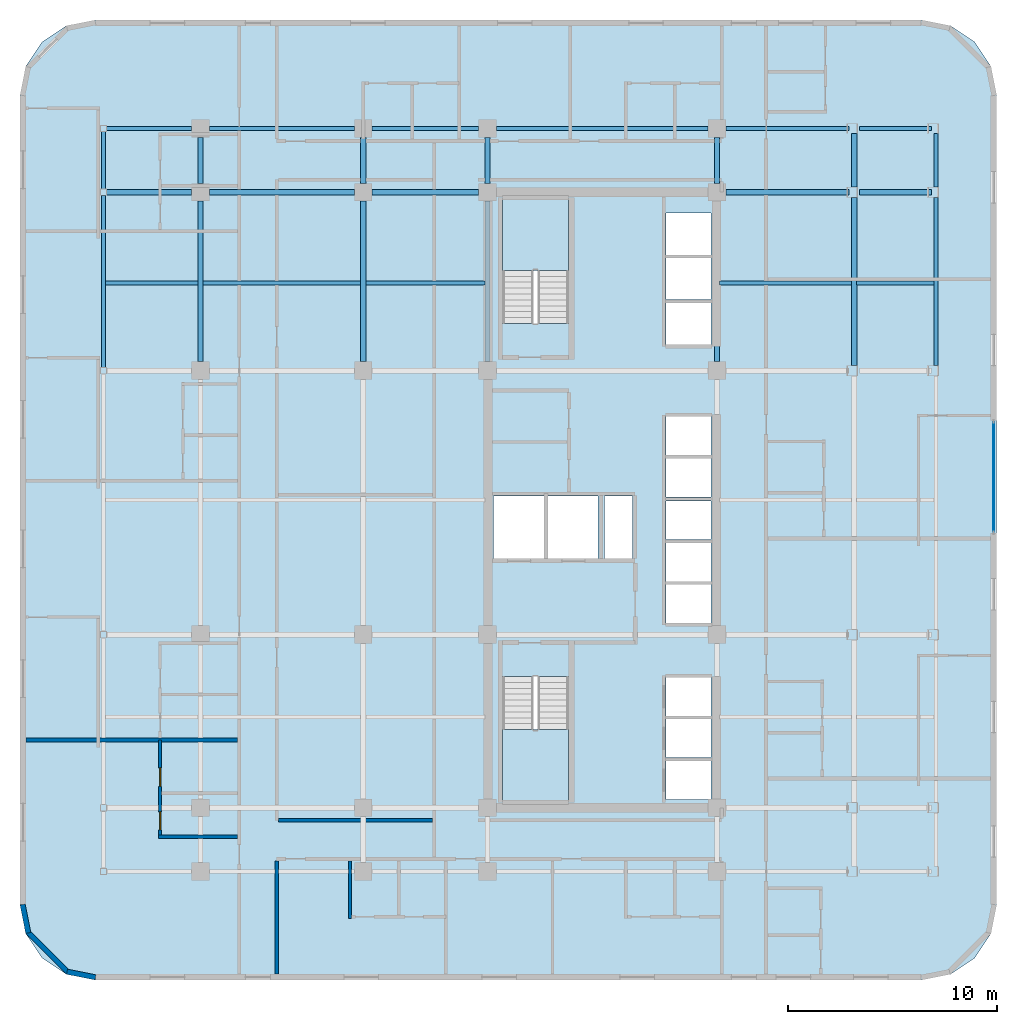
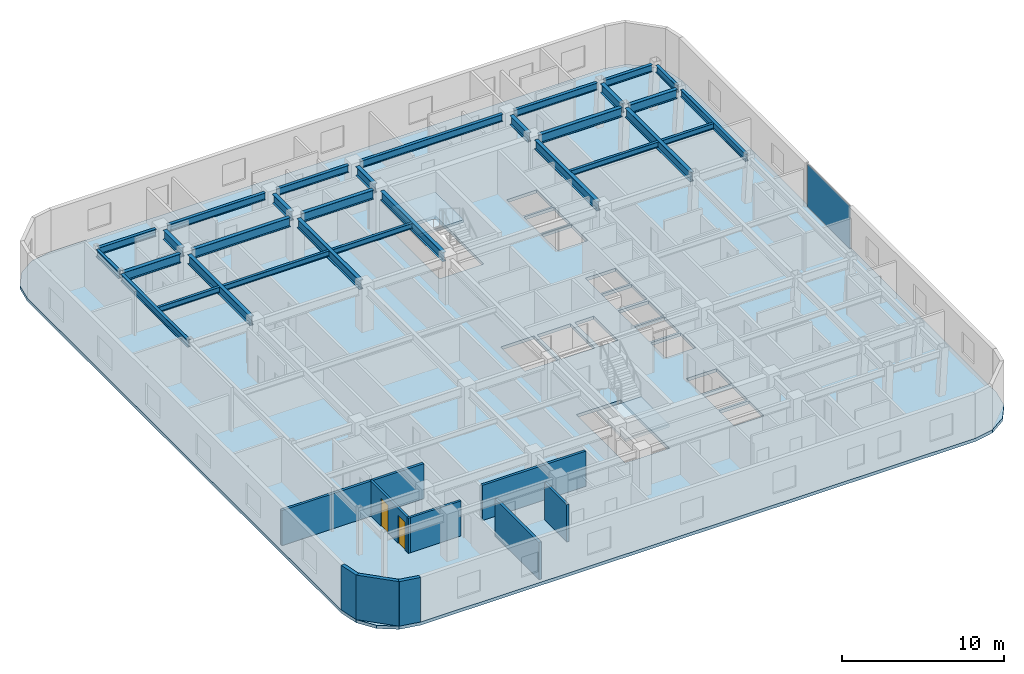
# One storey, part 6 of 13: 30 beams, 9 walls, 3 slabs, 2 doors, 1 plate, 2 openings, 3 elements without a shape of their own.
"""IFC4 building model written with IfcOpenShell, lengths in metres."""

from ifc_helpers import new_model, si_unit, direction, frame, frame_2d, origin, origin_2d, place, context, subcontext, project, spatial, polyline, rectangle, i_section, outline, extrude, material, layer, layer_set, material_profile, profile_set, type_object, element, fill, aggregate, save


model = new_model("IFC4")

# Units and contexts
model_context = context("Model", 3, precision=1e-05, world=origin(), true_north=direction((0.0, 1.0)))
body_context = subcontext(model_context, "Body", "Model", "MODEL_VIEW")
ifc_project = project(units=[si_unit("LENGTHUNIT", "METRE"), si_unit("AREAUNIT", "SQUARE_METRE"), si_unit("VOLUMEUNIT", "CUBIC_METRE"), si_unit("PLANEANGLEUNIT", "RADIAN"), si_unit("MASSUNIT", "GRAM", prefix="KILO")], contexts=[model_context])

# Site, building, storey
site_placement = place(None, origin())
site = spatial("IfcSite", under=ifc_project, at=site_placement, CompositionType="ELEMENT")
building_placement = place(site_placement, origin())
building = spatial("IfcBuilding", under=site, at=building_placement, Name="Ochreholt Gables", CompositionType="ELEMENT")
storey_placement = place(building_placement, frame((0.0, 0.0, 49.199951171875)))
storey = spatial("IfcBuildingStorey", under=building, at=storey_placement, Name="L12", CompositionType="ELEMENT", Elevation=49.199951171875)

# Beams
ifc_material_1 = material(Name="Steel CSA G40.21 350W", Category="steel")
ifc_material_profile_1 = material_profile(ifc_material_1, i_section(OverallWidth=0.256103515625, OverallDepth=0.693115234375, WebThickness=0.014404296875, FlangeThickness=0.023681640625, at=origin_2d()), Name="W690X170")
ifc_profile_set_1 = profile_set([ifc_material_profile_1], Name="Steel CSA G40.21 350W")
beam_type_1 = type_object("IfcBeamType", Name="BM-G-W690", PredefinedType="BEAM", material=ifc_profile_set_1)
beam_1_placement = place(storey_placement, frame((5.9521484375, 38.75, 3.013427734375), z_axis=(1.0, 0.0, 0.0), x_axis=(0.0, 1.0, 0.0)))
element("IfcBeam", 1, at=beam_1_placement, inside=storey, type_object=beam_type_1, Name="L12 Beam TBG-L12-WTW2-Y5", PredefinedType="BEAM", context=body_context, shape_type="SweptSolid", body=[
    extrude(i_section(OverallWidth=0.256103515625, OverallDepth=0.693115234375, WebThickness=0.014404296875, FlangeThickness=0.023681640625, at=origin_2d()), origin(), (0.0, 0.0, 1.0), 4.0732421875),
])
beam_2_placement = place(storey_placement, frame((10.87451171875, 38.75, 3.013427734375), z_axis=(1.0, 0.0, 0.0), x_axis=(0.0, 1.0, 0.0)))
element("IfcBeam", 2, at=beam_2_placement, inside=storey, type_object=beam_type_1, Name="L12 Beam TBG-L12-W2W3-Y5", PredefinedType="BEAM", context=body_context, shape_type="SweptSolid", body=[
    extrude(i_section(OverallWidth=0.256103515625, OverallDepth=0.693115234375, WebThickness=0.014404296875, FlangeThickness=0.023681640625, at=origin_2d()), origin(), (0.0, 0.0, 1.0), 6.950927734375),
])
beam_3_placement = place(storey_placement, frame((18.674560546875, 38.75, 3.013427734375), z_axis=(1.0, 0.0, 0.0), x_axis=(0.0, 1.0, 0.0)))
element("IfcBeam", 3, at=beam_3_placement, inside=storey, type_object=beam_type_1, Name="L12 Beam TBG-L12-W3C1-Y5", PredefinedType="BEAM", context=body_context, shape_type="SweptSolid", body=[
    extrude(i_section(OverallWidth=0.256103515625, OverallDepth=0.693115234375, WebThickness=0.014404296875, FlangeThickness=0.023681640625, at=origin_2d()), origin(), (0.0, 0.0, 1.0), 5.100830078125),
])
beam_4_placement = place(storey_placement, frame((35.62451171875, 38.75, 3.013427734375), z_axis=(1.0, 0.0, 0.0), x_axis=(0.0, 1.0, 0.0)))
element("IfcBeam", 4, at=beam_4_placement, inside=storey, type_object=beam_type_1, Name="L12 Beam TBG-L12-C2EM-Y5", PredefinedType="BEAM", context=body_context, shape_type="SweptSolid", body=[
    extrude(i_section(OverallWidth=0.256103515625, OverallDepth=0.693115234375, WebThickness=0.014404296875, FlangeThickness=0.023681640625, at=origin_2d()), origin(), (0.0, 0.0, 1.0), 5.909912109375),
])
beam_5_placement = place(storey_placement, frame((42.03369140625, 38.75, 3.013427734375), z_axis=(1.0, 0.0, 0.0), x_axis=(0.0, 1.0, 0.0)))
element("IfcBeam", 5, at=beam_5_placement, inside=storey, type_object=beam_type_1, Name="L12 Beam TBG-L12-EMEE-Y5", PredefinedType="BEAM", context=body_context, shape_type="SweptSolid", body=[
    extrude(i_section(OverallWidth=0.256103515625, OverallDepth=0.693115234375, WebThickness=0.014404296875, FlangeThickness=0.023681640625, at=origin_2d()), origin(), (0.0, 0.0, 1.0), 3.435791015625),
])
beam_6_placement = place(storey_placement, frame((10.449951171875, 30.62451171875, 3.013427734375), z_axis=(0.0, 1.0, 0.0), x_axis=(-1.0, 0.0, 0.0)))
element("IfcBeam", 6, at=beam_6_placement, inside=storey, type_object=beam_type_1, Name="L12 Beam TBN-L12-W2-Y4Y5", PredefinedType="BEAM", context=body_context, shape_type="SweptSolid", body=[
    extrude(i_section(OverallWidth=0.256103515625, OverallDepth=0.693115234375, WebThickness=0.014404296875, FlangeThickness=0.023681640625, at=origin_2d()), origin(), (0.0, 0.0, 1.0), 7.700927734375),
])
beam_7_placement = place(storey_placement, frame((10.449951171875, 39.174560546875, 3.013427734375), z_axis=(0.0, 1.0, 0.0), x_axis=(-1.0, 0.0, 0.0)))
element("IfcBeam", 7, at=beam_7_placement, inside=storey, type_object=beam_type_1, Name="L12 Beam TBN-L12-W2-Y5Y6", PredefinedType="BEAM", context=body_context, shape_type="SweptSolid", body=[
    extrude(i_section(OverallWidth=0.256103515625, OverallDepth=0.693115234375, WebThickness=0.014404296875, FlangeThickness=0.023681640625, at=origin_2d()), origin(), (0.0, 0.0, 1.0), 2.200927734375),
])
beam_8_placement = place(storey_placement, frame((18.25, 30.62451171875, 3.013427734375), z_axis=(0.0, 1.0, 0.0), x_axis=(-1.0, 0.0, 0.0)))
element("IfcBeam", 8, at=beam_8_placement, inside=storey, type_object=beam_type_1, Name="L12 Beam TBN-L12-W3-Y4Y5", PredefinedType="BEAM", context=body_context, shape_type="SweptSolid", body=[
    extrude(i_section(OverallWidth=0.256103515625, OverallDepth=0.693115234375, WebThickness=0.014404296875, FlangeThickness=0.023681640625, at=origin_2d()), origin(), (0.0, 0.0, 1.0), 7.700927734375),
])
beam_9_placement = place(storey_placement, frame((18.25, 39.174560546875, 3.013427734375), z_axis=(0.0, 1.0, 0.0), x_axis=(-1.0, 0.0, 0.0)))
element("IfcBeam", 9, at=beam_9_placement, inside=storey, type_object=beam_type_1, Name="L12 Beam TBN-L12-W3-Y5Y6", PredefinedType="BEAM", context=body_context, shape_type="SweptSolid", body=[
    extrude(i_section(OverallWidth=0.256103515625, OverallDepth=0.693115234375, WebThickness=0.014404296875, FlangeThickness=0.023681640625, at=origin_2d()), origin(), (0.0, 0.0, 1.0), 2.200927734375),
])
beam_10_placement = place(storey_placement, frame((24.199951171875, 30.62451171875, 3.013427734375), z_axis=(0.0, 1.0, 0.0), x_axis=(-1.0, 0.0, 0.0)))
element("IfcBeam", 10, at=beam_10_placement, inside=storey, type_object=beam_type_1, Name="L12 Beam TBN-L12-C1-Y4Y5", PredefinedType="BEAM", context=body_context, shape_type="SweptSolid", body=[
    extrude(i_section(OverallWidth=0.256103515625, OverallDepth=0.693115234375, WebThickness=0.014404296875, FlangeThickness=0.023681640625, at=origin_2d()), origin(), (0.0, 0.0, 1.0), 7.700927734375),
])
beam_11_placement = place(storey_placement, frame((24.199951171875, 39.174560546875, 3.013427734375), z_axis=(0.0, 1.0, 0.0), x_axis=(-1.0, 0.0, 0.0)))
element("IfcBeam", 11, at=beam_11_placement, inside=storey, type_object=beam_type_1, Name="L12 Beam TBN-L12-C1-Y5Y6", PredefinedType="BEAM", context=body_context, shape_type="SweptSolid", body=[
    extrude(i_section(OverallWidth=0.256103515625, OverallDepth=0.693115234375, WebThickness=0.014404296875, FlangeThickness=0.023681640625, at=origin_2d()), origin(), (0.0, 0.0, 1.0), 2.200927734375),
])
beam_12_placement = place(storey_placement, frame((35.199951171875, 30.62451171875, 3.013427734375), z_axis=(0.0, 1.0, 0.0), x_axis=(-1.0, 0.0, 0.0)))
element("IfcBeam", 12, at=beam_12_placement, inside=storey, type_object=beam_type_1, Name="L12 Beam TBN-L12-C2-Y4Y5", PredefinedType="BEAM", context=body_context, shape_type="SweptSolid", body=[
    extrude(i_section(OverallWidth=0.256103515625, OverallDepth=0.693115234375, WebThickness=0.014404296875, FlangeThickness=0.023681640625, at=origin_2d()), origin(), (0.0, 0.0, 1.0), 7.700927734375),
])
beam_13_placement = place(storey_placement, frame((35.199951171875, 39.174560546875, 3.013427734375), z_axis=(0.0, 1.0, 0.0), x_axis=(-1.0, 0.0, 0.0)))
element("IfcBeam", 13, at=beam_13_placement, inside=storey, type_object=beam_type_1, Name="L12 Beam TBN-L12-C2-Y5Y6", PredefinedType="BEAM", context=body_context, shape_type="SweptSolid", body=[
    extrude(i_section(OverallWidth=0.256103515625, OverallDepth=0.693115234375, WebThickness=0.014404296875, FlangeThickness=0.023681640625, at=origin_2d()), origin(), (0.0, 0.0, 1.0), 2.200927734375),
])
beam_14_placement = place(storey_placement, frame((41.766845703125, 30.44970703125, 3.013427734375), z_axis=(0.0, 1.0, 0.0), x_axis=(-1.0, 0.0, 0.0)))
element("IfcBeam", 14, at=beam_14_placement, inside=storey, type_object=beam_type_1, Name="L12 Beam TBN-L12-EM-Y4Y5", PredefinedType="BEAM", context=body_context, shape_type="SweptSolid", body=[
    extrude(i_section(OverallWidth=0.256103515625, OverallDepth=0.693115234375, WebThickness=0.014404296875, FlangeThickness=0.023681640625, at=origin_2d()), origin(), (0.0, 0.0, 1.0), 8.05078125),
])
beam_15_placement = place(storey_placement, frame((41.766845703125, 38.99951171875, 3.013427734375), z_axis=(0.0, 1.0, 0.0), x_axis=(-1.0, 0.0, 0.0)))
element("IfcBeam", 15, at=beam_15_placement, inside=storey, type_object=beam_type_1, Name="L12 Beam TBN-L12-EM-Y5Y6", PredefinedType="BEAM", context=body_context, shape_type="SweptSolid", body=[
    extrude(i_section(OverallWidth=0.256103515625, OverallDepth=0.693115234375, WebThickness=0.014404296875, FlangeThickness=0.023681640625, at=origin_2d()), origin(), (0.0, 0.0, 1.0), 2.55078125),
])
ifc_material_profile_2 = material_profile(ifc_material_1, i_section(OverallWidth=0.178955078125, OverallDepth=0.409912109375, WebThickness=0.0087890625, FlangeThickness=0.014404296875, at=origin_2d()), Name="W410X67")
ifc_profile_set_2 = profile_set([ifc_material_profile_2], Name="Steel CSA G40.21 350W")
beam_type_2 = type_object("IfcBeamType", Name="BM-J-W410", PredefinedType="JOIST", material=ifc_profile_set_2)
beam_16_placement = place(storey_placement, frame((5.904052734375, 34.39990234375, 3.155029296875), z_axis=(1.0, 0.0, 0.0), x_axis=(0.0, 1.0, 0.0)))
element("IfcBeam", 16, at=beam_16_placement, inside=storey, type_object=beam_type_2, Name="L12 Beam TBJ-L12-J3-WTW2", PredefinedType="JOIST", context=body_context, shape_type="SweptSolid", body=[
    extrude(i_section(OverallWidth=0.178955078125, OverallDepth=0.409912109375, WebThickness=0.0087890625, FlangeThickness=0.014404296875, at=origin_2d()), origin(), (0.0, 0.0, 1.0), 4.41845703125),
])
beam_17_placement = place(storey_placement, frame((10.57763671875, 34.39990234375, 3.155029296875), z_axis=(1.0, 0.0, 0.0), x_axis=(0.0, 1.0, 0.0)))
element("IfcBeam", 17, at=beam_17_placement, inside=storey, type_object=beam_type_2, Name="L12 Beam TBJ-L12-J3-W2W3", PredefinedType="JOIST", context=body_context, shape_type="SweptSolid", body=[
    extrude(i_section(OverallWidth=0.178955078125, OverallDepth=0.409912109375, WebThickness=0.0087890625, FlangeThickness=0.014404296875, at=origin_2d()), origin(), (0.0, 0.0, 1.0), 7.544677734375),
])
beam_18_placement = place(storey_placement, frame((18.377685546875, 34.39990234375, 3.155029296875), z_axis=(1.0, 0.0, 0.0), x_axis=(0.0, 1.0, 0.0)))
element("IfcBeam", 18, at=beam_18_placement, inside=storey, type_object=beam_type_2, Name="L12 Beam TBJ-L12-J3-W3C1", PredefinedType="JOIST", context=body_context, shape_type="SweptSolid", body=[
    extrude(i_section(OverallWidth=0.178955078125, OverallDepth=0.409912109375, WebThickness=0.0087890625, FlangeThickness=0.014404296875, at=origin_2d()), origin(), (0.0, 0.0, 1.0), 5.69482421875),
])
beam_19_placement = place(storey_placement, frame((35.32763671875, 34.39990234375, 3.155029296875), z_axis=(1.0, 0.0, 0.0), x_axis=(0.0, 1.0, 0.0)))
element("IfcBeam", 19, at=beam_19_placement, inside=storey, type_object=beam_type_2, Name="L12 Beam TBJ-L12-J3-C2EM", PredefinedType="JOIST", context=body_context, shape_type="SweptSolid", body=[
    extrude(i_section(OverallWidth=0.178955078125, OverallDepth=0.409912109375, WebThickness=0.0087890625, FlangeThickness=0.014404296875, at=origin_2d()), origin(), (0.0, 0.0, 1.0), 6.3115234375),
])
beam_20_placement = place(storey_placement, frame((41.894287109375, 34.39990234375, 3.155029296875), z_axis=(1.0, 0.0, 0.0), x_axis=(0.0, 1.0, 0.0)))
element("IfcBeam", 20, at=beam_20_placement, inside=storey, type_object=beam_type_2, Name="L12 Beam TBJ-L12-J3-EMEE", PredefinedType="JOIST", context=body_context, shape_type="SweptSolid", body=[
    extrude(i_section(OverallWidth=0.178955078125, OverallDepth=0.409912109375, WebThickness=0.0087890625, FlangeThickness=0.014404296875, at=origin_2d()), origin(), (0.0, 0.0, 1.0), 3.6923828125),
])
ifc_material_profile_3 = material_profile(ifc_material_1, i_section(OverallWidth=0.208984375, OverallDepth=0.532958984375, WebThickness=0.01025390625, FlangeThickness=0.015625, at=origin_2d()), Name="W530X92")
ifc_profile_set_3 = profile_set([ifc_material_profile_3], Name="Steel CSA G40.21 350W")
beam_type_3 = type_object("IfcBeamType", Name="BM-SP-W530B", PredefinedType="SPANDREL", material=ifc_profile_set_3)
beam_21_placement = place(storey_placement, frame((5.9521484375, 41.800048828125, 3.093505859375), z_axis=(1.0, 0.0, 0.0), x_axis=(0.0, 1.0, 0.0)))
element("IfcBeam", 21, at=beam_21_placement, inside=storey, type_object=beam_type_3, Name="L12 Beam TBG-L12-WTW2-Y6", PredefinedType="SPANDREL", context=body_context, shape_type="SweptSolid", body=[
    extrude(i_section(OverallWidth=0.208984375, OverallDepth=0.532958984375, WebThickness=0.01025390625, FlangeThickness=0.015625, at=origin_2d()), origin(), (0.0, 0.0, 1.0), 4.0732421875),
])
beam_22_placement = place(storey_placement, frame((10.87451171875, 41.800048828125, 3.093505859375), z_axis=(1.0, 0.0, 0.0), x_axis=(0.0, 1.0, 0.0)))
element("IfcBeam", 22, at=beam_22_placement, inside=storey, type_object=beam_type_3, Name="L12 Beam TBG-L12-W2W3-Y6", PredefinedType="SPANDREL", context=body_context, shape_type="SweptSolid", body=[
    extrude(i_section(OverallWidth=0.208984375, OverallDepth=0.532958984375, WebThickness=0.01025390625, FlangeThickness=0.015625, at=origin_2d()), origin(), (0.0, 0.0, 1.0), 6.950927734375),
])
beam_23_placement = place(storey_placement, frame((18.674560546875, 41.800048828125, 3.093505859375), z_axis=(1.0, 0.0, 0.0), x_axis=(0.0, 1.0, 0.0)))
element("IfcBeam", 23, at=beam_23_placement, inside=storey, type_object=beam_type_3, Name="L12 Beam TBG-L12-W3C1-Y6", PredefinedType="SPANDREL", context=body_context, shape_type="SweptSolid", body=[
    extrude(i_section(OverallWidth=0.208984375, OverallDepth=0.532958984375, WebThickness=0.01025390625, FlangeThickness=0.015625, at=origin_2d()), origin(), (0.0, 0.0, 1.0), 5.100830078125),
])
beam_24_placement = place(storey_placement, frame((24.62451171875, 41.800048828125, 3.093505859375), z_axis=(1.0, 0.0, 0.0), x_axis=(0.0, 1.0, 0.0)))
element("IfcBeam", 24, at=beam_24_placement, inside=storey, type_object=beam_type_3, Name="L12 Beam TBG-L12-C1C2-Y6", PredefinedType="SPANDREL", context=body_context, shape_type="SweptSolid", body=[
    extrude(i_section(OverallWidth=0.208984375, OverallDepth=0.532958984375, WebThickness=0.01025390625, FlangeThickness=0.015625, at=origin_2d()), origin(), (0.0, 0.0, 1.0), 10.15087890625),
])
beam_25_placement = place(storey_placement, frame((35.62451171875, 41.800048828125, 3.093505859375), z_axis=(1.0, 0.0, 0.0), x_axis=(0.0, 1.0, 0.0)))
element("IfcBeam", 25, at=beam_25_placement, inside=storey, type_object=beam_type_3, Name="L12 Beam TBG-L12-C2EM-Y6", PredefinedType="SPANDREL", context=body_context, shape_type="SweptSolid", body=[
    extrude(i_section(OverallWidth=0.208984375, OverallDepth=0.532958984375, WebThickness=0.01025390625, FlangeThickness=0.015625, at=origin_2d()), origin(), (0.0, 0.0, 1.0), 5.909912109375),
])
beam_26_placement = place(storey_placement, frame((42.03369140625, 41.800048828125, 3.093505859375), z_axis=(1.0, 0.0, 0.0), x_axis=(0.0, 1.0, 0.0)))
element("IfcBeam", 26, at=beam_26_placement, inside=storey, type_object=beam_type_3, Name="L12 Beam TBG-L12-EMEE-Y6", PredefinedType="SPANDREL", context=body_context, shape_type="SweptSolid", body=[
    extrude(i_section(OverallWidth=0.208984375, OverallDepth=0.532958984375, WebThickness=0.01025390625, FlangeThickness=0.015625, at=origin_2d()), origin(), (0.0, 0.0, 1.0), 3.435791015625),
])
beam_27_placement = place(storey_placement, frame((5.800048828125, 30.35205078125, 3.093505859375), z_axis=(0.0, 1.0, 0.0), x_axis=(-1.0, 0.0, 0.0)))
element("IfcBeam", 27, at=beam_27_placement, inside=storey, type_object=beam_type_3, Name="L12 Beam TBN-L12-WT-Y4Y5", PredefinedType="SPANDREL", context=body_context, shape_type="SweptSolid", body=[
    extrude(i_section(OverallWidth=0.208984375, OverallDepth=0.532958984375, WebThickness=0.01025390625, FlangeThickness=0.015625, at=origin_2d()), origin(), (0.0, 0.0, 1.0), 8.245849609375),
])
beam_28_placement = place(storey_placement, frame((5.800048828125, 38.902099609375, 3.093505859375), z_axis=(0.0, 1.0, 0.0), x_axis=(-1.0, 0.0, 0.0)))
element("IfcBeam", 28, at=beam_28_placement, inside=storey, type_object=beam_type_3, Name="L12 Beam TBN-L12-WT-Y5Y6", PredefinedType="SPANDREL", context=body_context, shape_type="SweptSolid", body=[
    extrude(i_section(OverallWidth=0.208984375, OverallDepth=0.532958984375, WebThickness=0.01025390625, FlangeThickness=0.015625, at=origin_2d()), origin(), (0.0, 0.0, 1.0), 2.745849609375),
])
beam_29_placement = place(storey_placement, frame((45.69091796875, 30.44970703125, 3.093505859375), z_axis=(0.0, 1.0, 0.0), x_axis=(-1.0, 0.0, 0.0)))
element("IfcBeam", 29, at=beam_29_placement, inside=storey, type_object=beam_type_3, Name="L12 Beam TBN-L12-EE-Y4Y5", PredefinedType="SPANDREL", context=body_context, shape_type="SweptSolid", body=[
    extrude(i_section(OverallWidth=0.208984375, OverallDepth=0.532958984375, WebThickness=0.01025390625, FlangeThickness=0.015625, at=origin_2d()), origin(), (0.0, 0.0, 1.0), 8.05078125),
])
beam_30_placement = place(storey_placement, frame((45.69091796875, 38.99951171875, 3.093505859375), z_axis=(0.0, 1.0, 0.0), x_axis=(-1.0, 0.0, 0.0)))
element("IfcBeam", 30, at=beam_30_placement, inside=storey, type_object=beam_type_3, Name="L12 Beam TBN-L12-EE-Y5Y6", PredefinedType="SPANDREL", context=body_context, shape_type="SweptSolid", body=[
    extrude(i_section(OverallWidth=0.208984375, OverallDepth=0.532958984375, WebThickness=0.01025390625, FlangeThickness=0.015625, at=origin_2d()), origin(), (0.0, 0.0, 1.0), 2.55078125),
])

# Curtain wall, plate
ifc_material_2 = material(Name="Unitised Aluminium and Triple Glazing", Category="aluminium")
ifc_layer_1 = layer(ifc_material_2, 0.179931640625, Name="Unitised Aluminium and Triple Glazing")
ifc_layer_set_1 = layer_set([ifc_layer_1], Name="Unitised Aluminium and Triple Glazing")
curtain_wall_type = type_object("IfcCurtainWallType", Name="CW-SYS2", PredefinedType="NOTDEFINED", material=ifc_layer_set_1)
curtain_wall_placement = place(storey_placement, origin())
curtain_wall = element("IfcCurtainWall", 31, at=curtain_wall_placement, inside=storey, type_object=curtain_wall_type, Name="L12 East Unitised Curtain Wall", PredefinedType="NOTDEFINED")
ifc_material_3 = material(Name="Triple Low-E Insulating Glass", Category="glass")
ifc_layer_2 = layer(ifc_material_3, 0.031982421875, Name="Triple Low-E Insulating Glass")
ifc_layer_set_2 = layer_set([ifc_layer_2], Name="Triple Low-E Insulating Glass")
plate_type = type_object("IfcPlateType", Name="CW-PNL-32", PredefinedType="CURTAIN_PANEL", material=ifc_layer_set_2)
plate_placement = place(storey_placement, frame((48.455078125, 25.10498046875, 0.06494140625), z_axis=(0.0, 0.0, 1.0), x_axis=(0.0, 1.0, 0.0)))
plate = element("IfcPlate", 32, at=plate_placement, type_object=plate_type, Name="CW-2 panel 1.1", PredefinedType="CURTAIN_PANEL", context=body_context, shape_type="SweptSolid", body=[
    extrude(rectangle(XDim=5.260009765625, YDim=0.031982421875, at=origin_2d()), origin(), (0.0, 0.0, 1.0), 3.22998046875),
])
aggregate(curtain_wall, [plate])

# Stair, slab
ifc_material_4 = material(Name="Concrete 40 MPa", Category="concrete")
stair_type_1 = type_object("IfcStairType", Name="STAIR-CORE-ST-1", PredefinedType="HALF_TURN_STAIR", material=ifc_material_4)
stair_1_placement = place(storey_placement, origin())
stair_1 = element("IfcStair", 33, at=stair_1_placement, inside=storey, type_object=stair_type_1, Name="L12 Core Exit Stair 1", PredefinedType="HALF_TURN_STAIR")
ifc_layer_3 = layer(ifc_material_4, 0.199951171875, Name="Concrete 40 MPa")
ifc_layer_set_3 = layer_set([ifc_layer_3], Name="Concrete 40 MPa")
slab_type_1 = type_object("IfcSlabType", Name="LANDING-RC200", PredefinedType="LANDING", material=ifc_layer_set_3)
slab_1_placement = place(storey_placement, frame((0.0, 0.0, 1.60009765625)))
slab_1 = element("IfcSlab", 34, at=slab_1_placement, type_object=slab_type_1, Name="ST-1 landing 1", PredefinedType="LANDING", context=body_context, shape_type="SweptSolid", body=[
    extrude(outline(polyline([(24.919921875, 13.001953125), (24.919921875, 9.52001953125), (28.080078125, 9.52001953125), (28.080078125, 13.001953125), (24.919921875, 13.001953125)])), origin(), (0.0, 0.0, 1.0), 0.199951171875),
])
aggregate(stair_1, [slab_1])

stair_type_2 = type_object("IfcStairType", Name="STAIR-CORE-ST-2", PredefinedType="HALF_TURN_STAIR", material=ifc_material_4)
stair_2_placement = place(storey_placement, origin())
stair_2 = element("IfcStair", 35, at=stair_2_placement, inside=storey, type_object=stair_type_2, Name="L12 Core Exit Stair 2", PredefinedType="HALF_TURN_STAIR")
slab_2_placement = place(storey_placement, frame((0.0, 0.0, 1.60009765625)))
slab_2 = element("IfcSlab", 36, at=slab_2_placement, type_object=slab_type_1, Name="ST-2 landing 1", PredefinedType="LANDING", context=body_context, shape_type="SweptSolid", body=[
    extrude(outline(polyline([(28.080078125, 34.998046875), (28.080078125, 38.47998046875), (24.919921875, 38.47998046875), (24.919921875, 34.998046875), (28.080078125, 34.998046875)])), origin(), (0.0, 0.0, 1.0), 0.199951171875),
])
aggregate(stair_2, [slab_2])

# Slab
ifc_layer_4 = layer(ifc_material_4, 0.239990234375, Name="Concrete 40 MPa")
ifc_layer_set_4 = layer_set([ifc_layer_4], Name="Concrete 40 MPa")
slab_type_2 = type_object("IfcSlabType", Name="SLAB-TWR-240", PredefinedType="FLOOR", material=ifc_layer_set_4)
slab_3_placement = place(storey_placement, frame((0.0, 0.0, -0.239990234375)))
element("IfcSlab", 37, at=slab_3_placement, inside=storey, type_object=slab_type_2, Name="L12 Structural Floor Slab", PredefinedType="FLOOR", context=body_context, shape_type="SweptSolid", body=[
    extrude(outline(polyline([(1.800048828125, 4.60009765625), (2.073974609375, 3.222412109375), (2.8544921875, 2.054443359375), (4.022216796875, 1.27392578125), (5.39990234375, 1.0), (45.0, 1.0), (46.377685546875, 1.27392578125), (47.545654296875, 2.054443359375), (48.325927734375, 3.222412109375), (48.60009765625, 4.60009765625), (48.60009765625, 43.39990234375), (48.325927734375, 44.777587890625), (47.545654296875, 45.945556640625), (46.377685546875, 46.72607421875), (45.0, 47.0), (5.39990234375, 47.0), (4.022216796875, 46.72607421875), (2.8544921875, 45.945556640625), (2.073974609375, 44.777587890625), (1.800048828125, 43.39990234375), (1.800048828125, 4.60009765625)]), holes=[polyline([(24.919921875, 15.539306640625), (24.919921875, 9.52001953125), (28.080078125, 9.52001953125), (28.080078125, 15.539306640625), (24.919921875, 15.539306640625)]), polyline([(28.080078125, 32.460693359375), (28.080078125, 38.47998046875), (24.919921875, 38.47998046875), (24.919921875, 32.460693359375), (28.080078125, 32.460693359375)]), polyline([(24.5, 21.199951171875), (26.89990234375, 21.199951171875), (26.89990234375, 24.199951171875), (24.5, 24.199951171875), (24.5, 21.199951171875)]), polyline([(27.10009765625, 21.199951171875), (29.5, 21.199951171875), (29.5, 24.199951171875), (27.10009765625, 24.199951171875), (27.10009765625, 21.199951171875)]), polyline([(32.75, 9.64990234375), (34.89990234375, 9.64990234375), (34.89990234375, 11.5), (32.75, 11.5), (32.75, 9.64990234375)]), polyline([(32.75, 11.64990234375), (34.89990234375, 11.64990234375), (34.89990234375, 13.5), (32.75, 13.5), (32.75, 11.64990234375)]), polyline([(32.75, 13.64990234375), (34.89990234375, 13.64990234375), (34.89990234375, 15.5), (32.75, 15.5), (32.75, 13.64990234375)]), polyline([(32.75, 18.10009765625), (34.89990234375, 18.10009765625), (34.89990234375, 19.949951171875), (32.75, 19.949951171875), (32.75, 18.10009765625)]), polyline([(32.75, 20.10009765625), (34.89990234375, 20.10009765625), (34.89990234375, 21.949951171875), (32.75, 21.949951171875), (32.75, 20.10009765625)]), polyline([(32.75, 22.10009765625), (34.89990234375, 22.10009765625), (34.89990234375, 23.949951171875), (32.75, 23.949951171875), (32.75, 22.10009765625)]), polyline([(32.75, 24.14990234375), (34.89990234375, 24.14990234375), (34.89990234375, 26.0), (32.75, 26.0), (32.75, 24.14990234375)]), polyline([(32.75, 26.14990234375), (34.89990234375, 26.14990234375), (34.89990234375, 28.0), (32.75, 28.0), (32.75, 26.14990234375)]), polyline([(32.75, 31.449951171875), (34.89990234375, 31.449951171875), (34.89990234375, 33.449951171875), (32.75, 33.449951171875), (32.75, 31.449951171875)]), polyline([(32.75, 33.60009765625), (34.89990234375, 33.60009765625), (34.89990234375, 35.60009765625), (32.75, 35.60009765625), (32.75, 33.60009765625)]), polyline([(32.75, 35.75), (34.89990234375, 35.75), (34.89990234375, 37.75), (32.75, 37.75), (32.75, 35.75)]), polyline([(29.800048828125, 21.199951171875), (31.14990234375, 21.199951171875), (31.14990234375, 24.199951171875), (29.800048828125, 24.199951171875), (29.800048828125, 21.199951171875)])]), origin(), (0.0, 0.0, 1.0), 0.239990234375),
])

# Walls
ifc_material_5 = material(Name="Precast concrete 40 MPa", Category="concrete")
ifc_layer_5 = layer(ifc_material_5, 0.25, Name="Precast concrete 40 MPa")
ifc_layer_set_5 = layer_set([ifc_layer_5], Name="Precast concrete 40 MPa")
wall_type_1 = type_object("IfcWallType", Name="WALL-EXT-CNR", PredefinedType="SOLIDWALL", material=ifc_layer_set_5)
wall_1_placement = place(storey_placement, frame((1.92431640625, 4.616455078125, 0.0), z_axis=(0.0, 0.0, 1.0), x_axis=(0.19496651342, -0.980809899341, 0.0)))
element("IfcWall", 38, at=wall_1_placement, inside=storey, type_object=wall_type_1, Name="L12 Rounded Corner Wall SW-1", PredefinedType="SOLIDWALL", context=body_context, shape_type="SweptSolid", body=[
    extrude(rectangle(XDim=1.388671875, YDim=0.25, at=frame_2d((0.6943359375, 0.0))), origin(), (0.0, 0.0, 1.0), 3.360107421875),
])
wall_2_placement = place(storey_placement, frame((2.16796875, 3.304931640625, 0.0), z_axis=(0.0, 0.0, 1.0), x_axis=(0.707106781187, -0.707106781187, 0.0)))
element("IfcWall", 39, at=wall_2_placement, inside=storey, type_object=wall_type_1, Name="L12 Rounded Corner Wall SW-2", PredefinedType="SOLIDWALL", context=body_context, shape_type="SweptSolid", body=[
    extrude(rectangle(XDim=2.7392578125, YDim=0.25, at=frame_2d((1.36962890625, 0.0))), origin(), (0.0, 0.0, 1.0), 3.360107421875),
])
wall_3_placement = place(storey_placement, frame((4.054443359375, 1.39501953125, 0.0), z_axis=(0.0, 0.0, 1.0), x_axis=(0.980809899341, -0.19496651342, 0.0)))
element("IfcWall", 40, at=wall_3_placement, inside=storey, type_object=wall_type_1, Name="L12 Rounded Corner Wall SW-3", PredefinedType="SOLIDWALL", context=body_context, shape_type="SweptSolid", body=[
    extrude(rectangle(XDim=1.388671875, YDim=0.25, at=frame_2d((0.6943359375, 0.0))), origin(), (0.0, 0.0, 1.0), 3.360107421875),
])
ifc_material_6 = material(Name="Fire-Rated Gypsum Acoustic Partition", Category="gypsum")
ifc_layer_6 = layer(ifc_material_6, 0.179931640625, Name="Fire-Rated Gypsum Acoustic Partition")
ifc_layer_set_6 = layer_set([ifc_layer_6], Name="Fire-Rated Gypsum Acoustic Partition")
wall_type_2 = type_object("IfcWallType", Name="WALL-INT-CR180", PredefinedType="STANDARD", material=ifc_layer_set_6)
wall_4_placement = place(storey_placement, frame((14.18994140625, 8.64990234375, 0.0), z_axis=(0.0, 0.0, 1.0), x_axis=(1.0, 0.0, 0.0)))
element("IfcWall", 41, at=wall_4_placement, inside=storey, type_object=wall_type_2, Name="L12 Interior Wall WI-C1S2W-L12", PredefinedType="STANDARD", context=body_context, shape_type="SweptSolid", body=[
    extrude(rectangle(XDim=7.3701171875, YDim=0.179931640625, at=frame_2d((3.68505859375, 0.0))), origin(), (0.0, 0.0, 1.0), 2.649169921875),
])
ifc_material_7 = material(Name="Double-Stud Acoustic Demising Wall", Category="gypsum")
ifc_layer_7 = layer(ifc_material_7, 0.179931640625, Name="Double-Stud Acoustic Demising Wall")
ifc_layer_set_7 = layer_set([ifc_layer_7], Name="Double-Stud Acoustic Demising Wall")
wall_type_3 = type_object("IfcWallType", Name="WALL-INT-DM180", PredefinedType="PARTITIONING", material=ifc_layer_set_7)
wall_5_placement = place(storey_placement, frame((14.10009765625, 1.2900390625, 0.0), z_axis=(0.0, 0.0, 1.0), x_axis=(0.0, 1.0, 0.0)))
element("IfcWall", 42, at=wall_5_placement, inside=storey, type_object=wall_type_3, Name="L12 Interior Wall WI-C1WSI-L12", PredefinedType="PARTITIONING", context=body_context, shape_type="SweptSolid", body=[
    extrude(rectangle(XDim=5.419921875, YDim=0.179931640625, at=frame_2d((2.7099609375, 0.0))), origin(), (0.0, 0.0, 1.0), 2.80908203125),
])
wall_6_placement = place(storey_placement, frame((2.090087890625, 12.5, 0.0), z_axis=(0.0, 0.0, 1.0), x_axis=(1.0, 0.0, 0.0)))
element("IfcWall", 43, at=wall_6_placement, inside=storey, type_object=wall_type_3, Name="L12 Interior Wall WI-UDW2-L12", PredefinedType="PARTITIONING", context=body_context, shape_type="SweptSolid", body=[
    extrude(rectangle(XDim=10.119873046875, YDim=0.179931640625, at=frame_2d((5.06005859375, 0.0))), origin(), (0.0, 0.0, 1.0), 2.649169921875),
])
ifc_material_8 = material(Name="Moisture-Resistant Plumbing Chase Wall", Category="gypsum")
ifc_layer_8 = layer(ifc_material_8, 0.159912109375, Name="Moisture-Resistant Plumbing Chase Wall")
ifc_layer_set_8 = layer_set([ifc_layer_8], Name="Moisture-Resistant Plumbing Chase Wall")
wall_type_4 = type_object("IfcWallType", Name="WALL-INT-PL160", PredefinedType="PLUMBINGWALL", material=ifc_layer_set_8)
wall_7_placement = place(storey_placement, frame((8.429931640625, 7.860107421875, 0.0), z_axis=(0.0, 0.0, 1.0), x_axis=(1.0, 0.0, 0.0)))
element("IfcWall", 44, at=wall_7_placement, inside=storey, type_object=wall_type_4, Name="L12 Interior Wall WU-L12W1-WYS", PredefinedType="PLUMBINGWALL", context=body_context, shape_type="SweptSolid", body=[
    extrude(rectangle(XDim=3.780029296875, YDim=0.159912109375, at=frame_2d((1.89013671875, 0.0))), origin(), (0.0, 0.0, 1.0), 2.649169921875),
])

# Wall, openings, doors
wall_8_placement = place(storey_placement, frame((8.510009765625, 7.77001953125, 0.0), z_axis=(0.0, 0.0, 1.0), x_axis=(0.0, 1.0, 0.0)))
wall_8 = element("IfcWall", 45, at=wall_8_placement, inside=storey, type_object=wall_type_4, Name="L12 Interior Wall WU-L12W1-WX", PredefinedType="PLUMBINGWALL", context=body_context, shape_type="SweptSolid", body=[
    extrude(rectangle(XDim=4.72998046875, YDim=0.159912109375, at=frame_2d((2.364990234375, 0.0))), origin(), (0.0, 0.0, 1.0), 2.649169921875),
])
opening_1_placement = place(wall_8_placement, frame((0.419921875, 0.0, 0.0)))
opening_1 = element("IfcOpeningElement", 46, at=opening_1_placement, cuts=wall_8, Name="Opening D-BT1", PredefinedType="OPENING", context=body_context, shape_type="SweptSolid", body=[
    extrude(rectangle(XDim=0.860107421875, YDim=2.1201171875, at=frame_2d((0.43017578125, 1.06005859375))), frame((0.0, 0.08984375, 0.0), z_axis=(0.0, -1.0, 0.0), x_axis=(1.0, 0.0, 0.0)), (0.0, 0.0, 1.0), 0.179931640625),
])
opening_2_placement = place(wall_8_placement, frame((2.512939453125, 0.0, 0.0)))
opening_2 = element("IfcOpeningElement", 47, at=opening_2_placement, cuts=wall_8, Name="Opening D-GN2", PredefinedType="OPENING", context=body_context, shape_type="SweptSolid", body=[
    extrude(rectangle(XDim=0.8798828125, YDim=2.1201171875, at=frame_2d((0.43994140625, 1.06005859375))), frame((0.0, 0.08984375, 0.0), z_axis=(0.0, -1.0, 0.0), x_axis=(1.0, 0.0, 0.0)), (0.0, 0.0, 1.0), 0.179931640625),
])
ifc_material_9 = material(Name="Engineered Oak Timber", Category="wood")
door_type_1 = type_object("IfcDoorType", Name="DR-INT-BTH860", OperationType="NOTDEFINED", PredefinedType="DOOR", material=ifc_material_9)
door_1_placement = place(opening_1_placement, origin())
door_1 = element("IfcDoor", 48, at=door_1_placement, inside=storey, type_object=door_type_1, Name="L12 Door D-U-L12W1-BTH", OperationType="SINGLE_SWING_LEFT", OverallHeight=2.1201171875, OverallWidth=0.860107421875, PredefinedType="DOOR", context=body_context, shape_type="SweptSolid", body=[
    extrude(rectangle(XDim=0.860107421875, YDim=2.1201171875, at=frame_2d((0.43017578125, 1.06005859375))), frame((0.0, 0.02490234375, 0.0), z_axis=(0.0, -1.0, 0.0), x_axis=(1.0, 0.0, 0.0)), (0.0, 0.0, 1.0), 0.050048828125),
])
fill(opening_1, door_1)
door_type_2 = type_object("IfcDoorType", Name="DR-INT-GEN880", OperationType="NOTDEFINED", PredefinedType="DOOR", material=ifc_material_9)
door_2_placement = place(opening_2_placement, origin())
door_2 = element("IfcDoor", 49, at=door_2_placement, inside=storey, type_object=door_type_2, Name="L12 Door D-U-L12W1-KIT", OperationType="SINGLE_SWING_RIGHT", OverallHeight=2.1201171875, OverallWidth=0.8798828125, PredefinedType="DOOR", context=body_context, shape_type="SweptSolid", body=[
    extrude(rectangle(XDim=0.8798828125, YDim=2.1201171875, at=frame_2d((0.43994140625, 1.06005859375))), frame((0.0, 0.02490234375, 0.0), z_axis=(0.0, -1.0, 0.0), x_axis=(1.0, 0.0, 0.0)), (0.0, 0.0, 1.0), 0.050048828125),
])
fill(opening_2, door_2)

# Wall
wall_9_placement = place(storey_placement, frame((17.611572265625, 3.949951171875, 0.0), z_axis=(0.0, 0.0, 1.0), x_axis=(0.0, 1.0, 0.0)))
element("IfcWall", 50, at=wall_9_placement, inside=storey, type_object=wall_type_4, Name="L12 Interior Wall WU-L12S1-FY", PredefinedType="PLUMBINGWALL", context=body_context, shape_type="SweptSolid", body=[
    extrude(rectangle(XDim=2.760009765625, YDim=0.159912109375, at=frame_2d((1.3798828125, 0.0))), origin(), (0.0, 0.0, 1.0), 2.80908203125),
])

save(model, "model.ifc")
